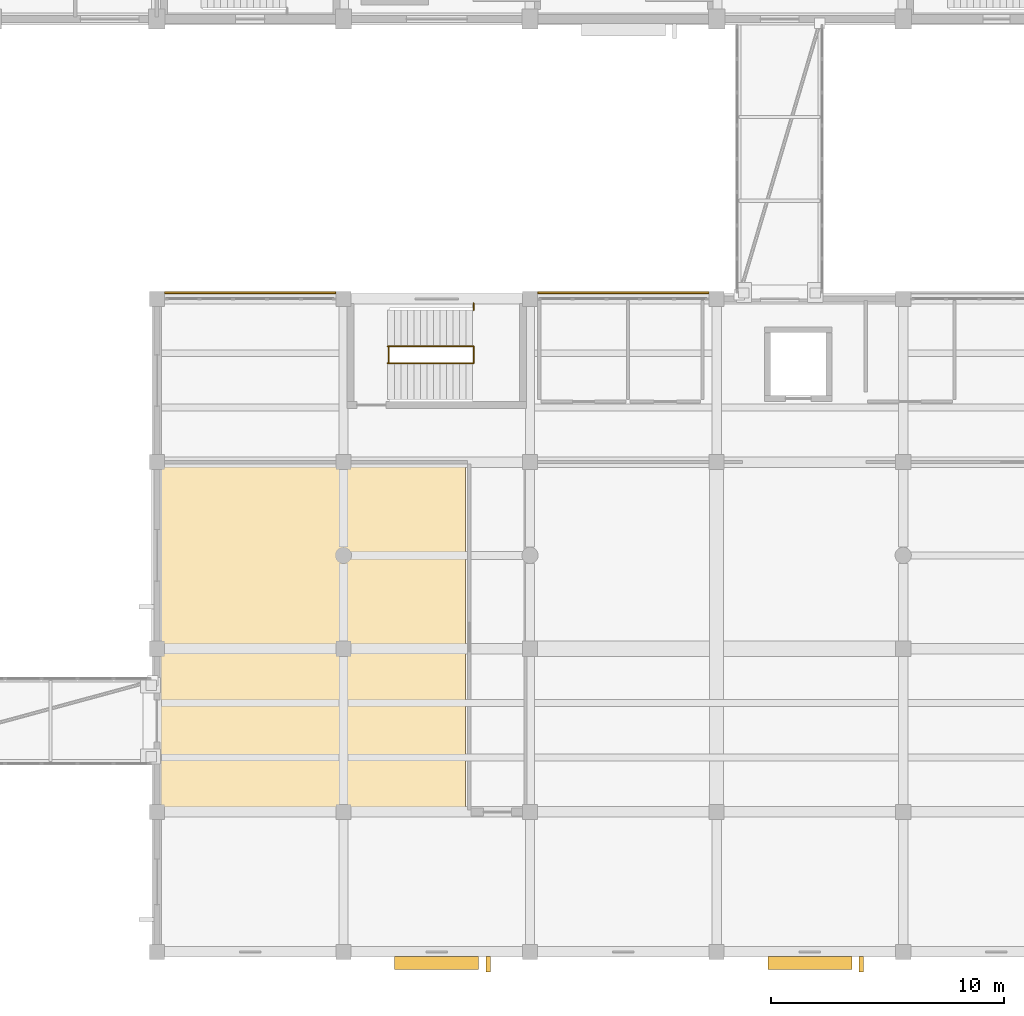
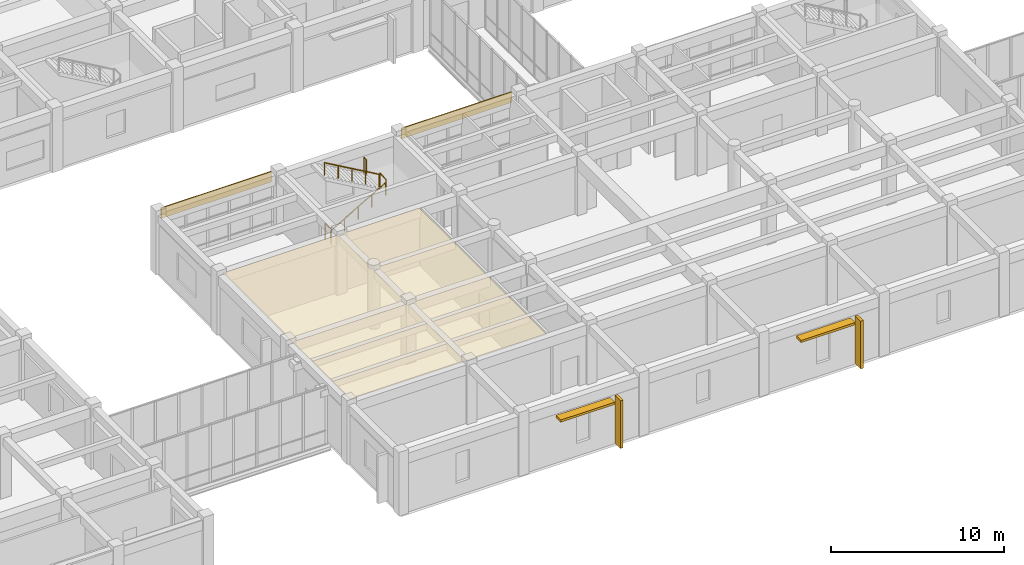
# One storey, part 64 of 70: 5 railings, 4 shading devices, 3 coverings.
"""IFC4 building model written with IfcOpenShell, lengths in metres."""

from ifc_helpers import new_model, si_unit, direction, frame, origin, origin_2d, place, context, subcontext, project, spatial, polyline, rectangle, circle, outline, extrude, material, layer, layer_set, type_object, element, save


model = new_model("IFC4")

# Units and contexts
model_context = context("Model", 3, precision=1e-05, world=origin(), true_north=direction((0.0, 1.0)))
body_context = subcontext(model_context, "Body", "Model", "MODEL_VIEW")
ifc_project = project(units=[si_unit("LENGTHUNIT", "METRE"), si_unit("AREAUNIT", "SQUARE_METRE"), si_unit("VOLUMEUNIT", "CUBIC_METRE"), si_unit("PLANEANGLEUNIT", "RADIAN"), si_unit("MASSUNIT", "GRAM", prefix="KILO")], contexts=[model_context])

# Site, building, storey
site_placement = place(None, origin())
site = spatial("IfcSite", under=ifc_project, at=site_placement, CompositionType="ELEMENT")
building_placement = place(site_placement, origin())
building = spatial("IfcBuilding", under=site, at=building_placement, Name="Naurynzar Civic Courthouse", CompositionType="ELEMENT")
storey_placement = place(building_placement, frame((0.0, 0.0, 5.39990234375)))
storey = spatial("IfcBuildingStorey", under=building, at=storey_placement, Name="L02", CompositionType="ELEMENT", Elevation=5.39990234375)

# Coverings
ifc_material_1 = material(Name="Mineral Fibre Acoustic Ceiling")
ifc_layer_1 = layer(ifc_material_1, 0.030029296875)
ifc_layer_set_1 = layer_set([ifc_layer_1], Name="CEIL-MINERAL-30")
covering_type_1 = type_object("IfcCoveringType", Name="CEIL-MINERAL-30", PredefinedType="CEILING", material=ifc_layer_set_1)
covering_placement = place(storey_placement, frame((0.0, 0.0, 4.114990234375)))
element("IfcCovering", 1, at=covering_placement, inside=storey, type_object=covering_type_1, Name="Acoustic suspended ceiling Judicial Codification Research Hall", PredefinedType="CEILING", context=body_context, shape_type="SweptSolid", body=[
    extrude(outline(polyline([(82.239990234375, 10.159912109375), (69.159912109375, 10.159912109375), (69.159912109375, 24.840087890625), (82.239990234375, 24.840087890625), (82.239990234375, 10.159912109375)])), origin(), (0.0, 0.0, 1.0), 0.030029296875),
])
ifc_material_2 = material(Name="Precast concrete C40/50", Category="concrete")
ifc_layer_2 = layer(ifc_material_2, 0.080078125)
ifc_layer_set_2 = layer_set([ifc_layer_2], Name="COV-CLAD-PRECAST-80")
covering_type_2 = type_object("IfcCoveringType", Name="COV-CLAD-PRECAST-80", PredefinedType="CLADDING", material=ifc_layer_set_2)
for number, where, z_axis, x_axis, name in (
    (2, (73.0, 32.2548828125, 3.43994140625), (0.0, 0.0, 1.0), (1.0, 0.0, 0.0), "V3 precast spandrel cladding 64"),
    (3, (89.0, 32.2548828125, 3.43994140625), (0.0, 0.0, 1.0), (1.0, 0.0, 0.0), "V3 precast spandrel cladding 65"),
):
    element("IfcCovering", number, at=place(storey_placement, frame(where, z_axis=z_axis, x_axis=x_axis)), inside=storey, type_object=covering_type_2, Name=name, PredefinedType="CLADDING", context=body_context, shape_type="SweptSolid", body=[
        extrude(rectangle(XDim=7.35009765625, YDim=0.080078125, at=origin_2d()), origin(), (0.0, 0.0, 1.0), 0.719970703125),
    ])

# Railings
ifc_material_3 = material(Name="Brushed Stainless Steel 304", Category="steel")
railing_type_1 = type_object("IfcRailingType", Name="RAIL-BAL-1100", PredefinedType="BALUSTRADE", material=ifc_material_3)
for number, where, name in (
    (4, (78.93994140625, 29.239990234375, 0.0), "Stair ST-V3A floor well slot guard L02"),
    (5, (82.580078125, 29.239990234375, 2.25), "Stair ST-V3A-L02 half-landing well guard"),
):
    element("IfcRailing", number, at=place(storey_placement, frame(where)), inside=storey, type_object=railing_type_1, Name=name, PredefinedType="BALUSTRADE", context=body_context, shape_type="SweptSolid", body=[
        extrude(circle(Radius=0.02392578125, at=origin_2d()), frame((0.0, 0.0, 1.09619140625), z_axis=(0.0, 1.0, 0.0), x_axis=(-1.0, 0.0, 0.0)), (0.0, 0.0, 1.0), 0.719970703125),
        extrude(circle(Radius=0.02099609375, at=origin_2d()), origin(), (0.0, 0.0, 1.0), 1.072021484375),
        extrude(circle(Radius=0.02099609375, at=origin_2d()), frame((0.0, 0.719970703125, 0.0)), (0.0, 0.0, 1.0), 1.072021484375),
    ])
railing_1_placement = place(storey_placement, frame((82.580078125, 31.52001953125, 2.25)))
element("IfcRailing", 6, at=railing_1_placement, inside=storey, type_object=railing_type_1, Name="Stair ST-V3A-L02 half-landing north slot guard", PredefinedType="BALUSTRADE", context=body_context, shape_type="SweptSolid", body=[
    extrude(circle(Radius=0.02392578125, at=origin_2d()), frame((0.0, 0.0, 1.09619140625), z_axis=(0.0, 1.0, 0.0), x_axis=(-1.0, 0.0, 0.0)), (0.0, 0.0, 1.0), 0.284912109375),
    extrude(circle(Radius=0.02099609375, at=origin_2d()), origin(), (0.0, 0.0, 1.0), 1.072021484375),
    extrude(circle(Radius=0.02099609375, at=origin_2d()), frame((0.0, 0.284912109375, 0.0)), (0.0, 0.0, 1.0), 1.072021484375),
])
ifc_material_4 = material(Name="Brushed Stainless Steel 304", Category="steel")
railing_type_2 = type_object("IfcRailingType", Name="RAIL-HR-900", PredefinedType="HANDRAIL", material=ifc_material_4)
railing_2_placement = place(storey_placement, frame((78.89990234375, 29.239990234375, 0.160888671875)))
element("IfcRailing", 7, at=railing_2_placement, inside=storey, type_object=railing_type_2, Name="Stair ST-V3A-L02 flight 1 handrail", PredefinedType="HANDRAIL", context=body_context, shape_type="SweptSolid", body=[
    extrude(circle(Radius=0.02392578125, at=origin_2d()), frame((0.0, 0.0, 0.8759765625), z_axis=(0.867314486057, 0.0, 0.497760567216), x_axis=(0.0, 1.0, 0.0)), (0.0, 0.0, 1.0), 4.197021484375),
    extrude(circle(Radius=0.02099609375, at=origin_2d()), origin(), (0.0, 0.0, 1.0), 0.851806640625),
    extrude(circle(Radius=0.02099609375, at=origin_2d()), frame((0.91015625, 0.0, 0.522216796875)), (0.0, 0.0, 1.0), 0.851806640625),
    extrude(circle(Radius=0.02099609375, at=origin_2d()), frame((1.820068359375, 0.0, 1.04443359375)), (0.0, 0.0, 1.0), 0.851806640625),
    extrude(circle(Radius=0.02099609375, at=origin_2d()), frame((2.72998046875, 0.0, 1.56689453125)), (0.0, 0.0, 1.0), 0.851806640625),
    extrude(circle(Radius=0.02099609375, at=origin_2d()), frame((3.64013671875, 0.0, 2.089111328125)), (0.0, 0.0, 1.0), 0.851806640625),
])
railing_3_placement = place(storey_placement, frame((82.5400390625, 29.9599609375, 2.410888671875)))
element("IfcRailing", 8, at=railing_3_placement, inside=storey, type_object=railing_type_2, Name="Stair ST-V3A-L02 flight 2 handrail", PredefinedType="HANDRAIL", context=body_context, shape_type="SweptSolid", body=[
    extrude(circle(Radius=0.02392578125, at=origin_2d()), frame((0.0, 0.0, 0.8759765625), z_axis=(-0.867314486057, 0.0, 0.497760567216), x_axis=(0.0, -1.0, 0.0)), (0.0, 0.0, 1.0), 4.197021484375),
    extrude(circle(Radius=0.02099609375, at=origin_2d()), origin(), (0.0, 0.0, 1.0), 0.851806640625),
    extrude(circle(Radius=0.02099609375, at=origin_2d()), frame((-0.91015625, 0.0, 0.522216796875)), (0.0, 0.0, 1.0), 0.851806640625),
    extrude(circle(Radius=0.02099609375, at=origin_2d()), frame((-1.820068359375, 0.0, 1.04443359375)), (0.0, 0.0, 1.0), 0.851806640625),
    extrude(circle(Radius=0.02099609375, at=origin_2d()), frame((-2.72998046875, 0.0, 1.56689453125)), (0.0, 0.0, 1.0), 0.851806640625),
    extrude(circle(Radius=0.02099609375, at=origin_2d()), frame((-3.64013671875, 0.0, 2.089111328125)), (0.0, 0.0, 1.0), 0.851806640625),
])

# Shading devices
ifc_material_5 = material(Name="Precast concrete C40/50", Category="concrete")
shading_device_type_1 = type_object("IfcShadingDeviceType", Name="SHD-FIN-V650", PredefinedType="JALOUSIE", material=ifc_material_5)
for number, where, z_axis, x_axis, name in (
    (9, (99.205078125, 3.469970703125, 0.0400390625), (0.0, 0.0, 1.0), (-1.0, 0.0, 0.0), "V3 vertical brise-soleil fin 38"),
    (10, (83.205078125, 3.469970703125, 0.0400390625), (0.0, 0.0, 1.0), (-1.0, 0.0, 0.0), "V3 vertical brise-soleil fin 39"),
):
    element("IfcShadingDevice", number, at=place(storey_placement, frame(where, z_axis=z_axis, x_axis=x_axis)), inside=storey, type_object=shading_device_type_1, Name=name, PredefinedType="JALOUSIE", context=body_context, shape_type="SweptSolid", body=[
        extrude(rectangle(XDim=0.179931640625, YDim=0.64990234375, at=origin_2d()), origin(), (0.0, 0.0, 1.0), 3.360107421875),
    ])
ifc_material_6 = material(Name="Precast concrete C40/50", Category="concrete")
shading_device_type_2 = type_object("IfcShadingDeviceType", Name="SHD-LOUV-H550", PredefinedType="SHUTTER", material=ifc_material_6)
for number, where, z_axis, x_axis, name in (
    (11, (97.0, 3.52001953125, 3.2001953125), (0.0, 0.0, 1.0), (-1.0, 0.0, 0.0), "V3 horizontal solar sun-breaker 38"),
    (12, (81.0, 3.52001953125, 3.2001953125), (0.0, 0.0, 1.0), (-1.0, 0.0, 0.0), "V3 horizontal solar sun-breaker 39"),
):
    element("IfcShadingDevice", number, at=place(storey_placement, frame(where, z_axis=z_axis, x_axis=x_axis)), inside=storey, type_object=shading_device_type_2, Name=name, PredefinedType="SHUTTER", context=body_context, shape_type="SweptSolid", body=[
        extrude(rectangle(XDim=3.60009765625, YDim=0.550048828125, at=origin_2d()), origin(), (0.0, 0.0, 1.0), 0.159912109375),
    ])

save(model, "model.ifc")
